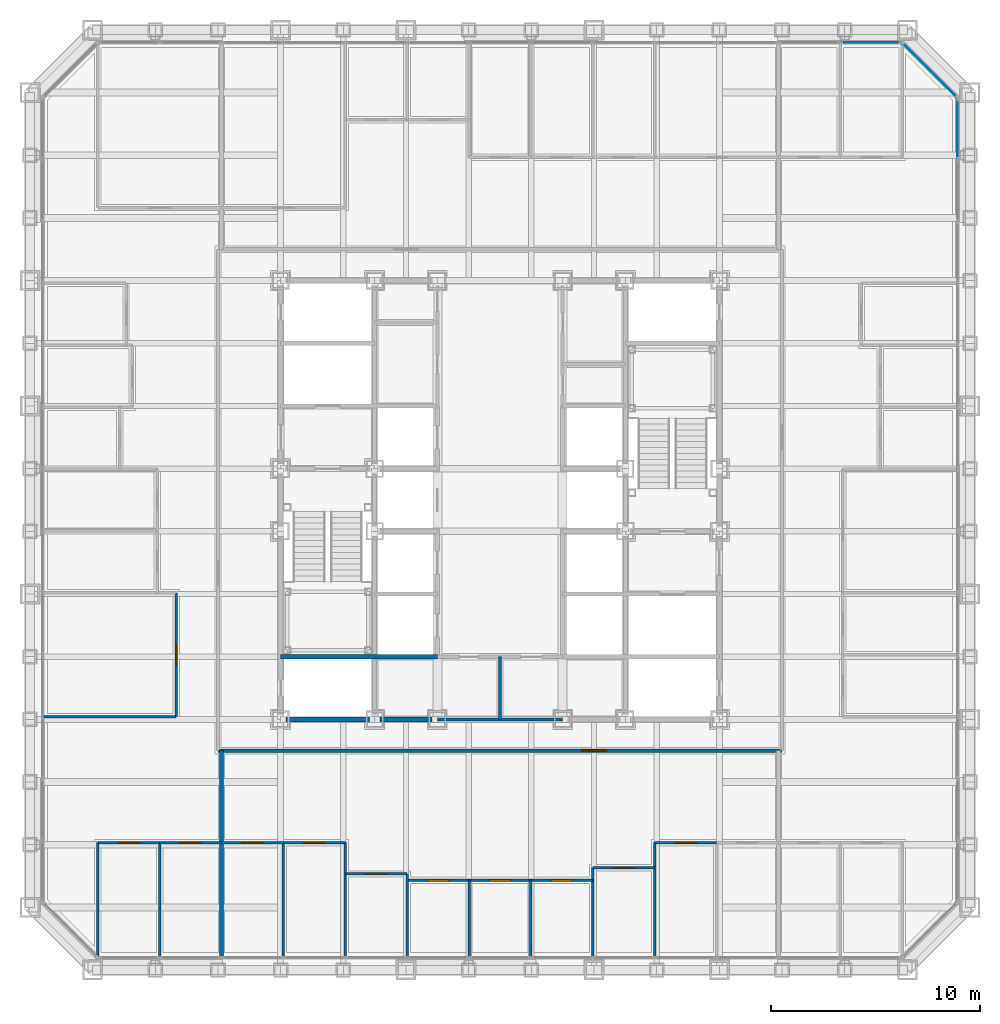
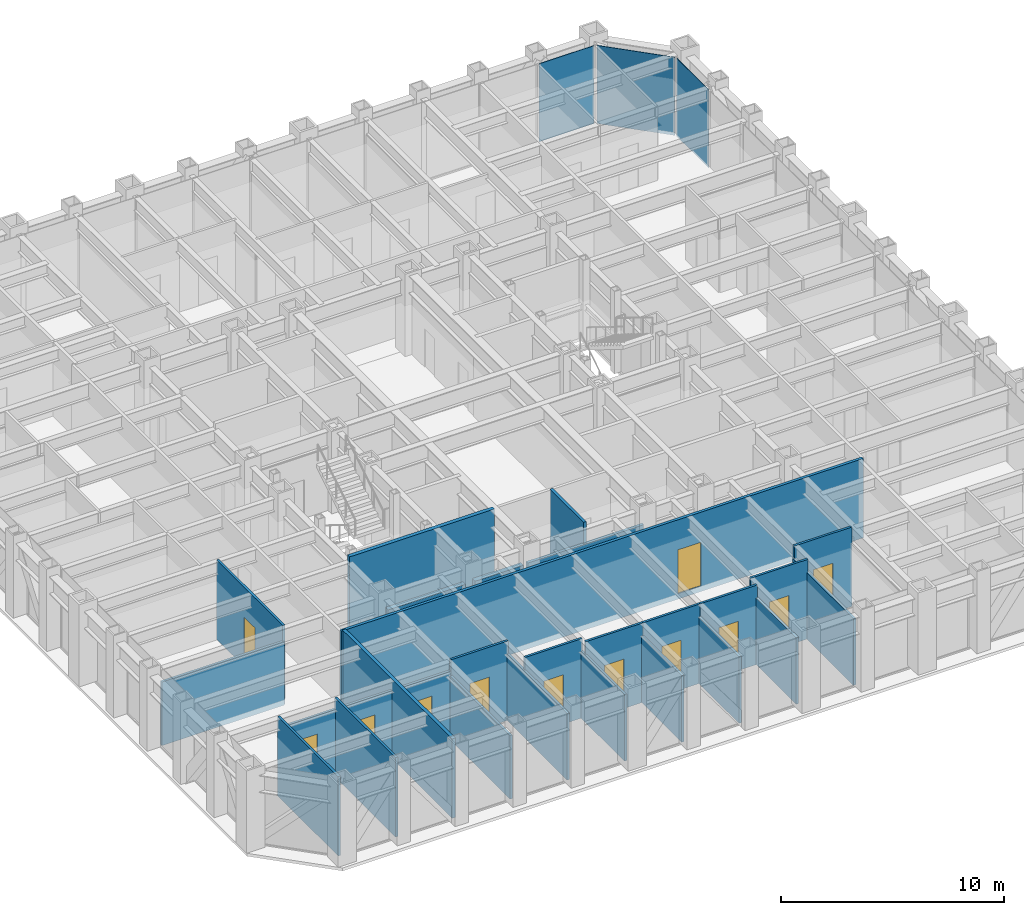
# One storey, part 8 of 16: 28 walls, 12 doors, 3 plates, 12 openings, 3 elements without a shape of their own.
"""IFC4 building model written with IfcOpenShell, lengths in metres."""

import ifcopenshell
import ifcopenshell.guid

model = None  # the IFC model being written
_history = None  # IfcOwnerHistory: only IFC2X3 demands one
_inside = {}  # id of a spatial element -> (the spatial element, [elements in it])
_under = {}  # id of a project, library or spatial element -> (it, [spatial elements below it])
_declared = {}  # id of a project -> (the project, [libraries it declares])
_typed = {}  # id of a type object -> (the type object, [elements of that type])
_made_of = {}  # id of a material, layer set ... -> (it, [elements and type objects made of it])


def new_model(schema):
    """Start an empty IFC model of exactly this schema.

    Asked for "IFC4X3", IfcOpenShell would pick the latest addendum, in which some entities
    have other attributes; the version numbers below select the first issue.
    IFC2X3 requires an IfcOwnerHistory on every rooted entity: one is made here for all.
    """
    global model, _history
    if schema == "IFC4X3":
        model = ifcopenshell.file(schema_version=(4, 3, 0, 0))
    else:
        model = ifcopenshell.file(schema=schema)
    _inside.clear()
    _under.clear()
    _declared.clear()
    _typed.clear()
    _made_of.clear()
    _history = None
    if model.schema == "IFC2X3":
        org = make("IfcOrganization", Name="unknown")
        user = make(
            "IfcPersonAndOrganization",
            ThePerson=make("IfcPerson", FamilyName="unknown"),
            TheOrganization=org,
        )
        app = make(
            "IfcApplication",
            ApplicationDeveloper=org,
            Version="unknown",
            ApplicationFullName="unknown",
            ApplicationIdentifier="unknown",
        )
        _history = make(
            "IfcOwnerHistory",
            OwningUser=user,
            OwningApplication=app,
            ChangeAction="ADDED",
            CreationDate=0,
        )
    return model


def make(cls, **values):
    """One entity of the class cls with the attributes given. An attribute that is None is left unset."""
    return model.create_entity(
        cls, **{name: value for name, value in values.items() if value is not None}
    )


def rooted(cls, **values):
    """An entity with a GlobalId (a new one), such as an element, a storey or a relation."""
    return make(cls, GlobalId=ifcopenshell.guid.new(), OwnerHistory=_history, **values)


def si_unit(unit_type, name, prefix=None):
    """IfcSIUnit, for example si_unit("LENGTHUNIT", "METRE", prefix="MILLI")."""
    return make("IfcSIUnit", UnitType=unit_type, Prefix=prefix, Name=name)


def assignment(units):
    """IfcUnitAssignment: the units of a project."""
    return None if units is None else make("IfcUnitAssignment", Units=units)


def point(xyz):
    """IfcCartesianPoint."""
    return None if xyz is None else make("IfcCartesianPoint", Coordinates=xyz)


def direction(xyz):
    """IfcDirection."""
    return None if xyz is None else make("IfcDirection", DirectionRatios=xyz)


def frame(location, z_axis=None, x_axis=None):
    """IfcAxis2Placement3D, a coordinate frame: its origin and axes. An axis left out is left unset."""
    return make(
        "IfcAxis2Placement3D",
        Location=point(location),
        Axis=direction(z_axis),
        RefDirection=direction(x_axis),
    )


def frame_2d(location, x_axis=None):
    """IfcAxis2Placement2D, a coordinate frame in the plane: its origin and x axis."""
    return make(
        "IfcAxis2Placement2D", Location=point(location), RefDirection=direction(x_axis)
    )


def origin():
    """The frame at (0, 0, 0) with its axes left unset."""
    return frame((0.0, 0.0, 0.0))


def origin_2d():
    """The frame at (0, 0) in the plane with its x axis left unset."""
    return frame_2d((0.0, 0.0))


def place(relative_to, where):
    """IfcLocalPlacement: puts the frame where relative to a parent placement (None: the world)."""
    return make(
        "IfcLocalPlacement", PlacementRelTo=relative_to, RelativePlacement=where
    )


def context(
    kind, dimensions, precision=None, world=None, true_north=None, identifier=None
):
    """IfcGeometricRepresentationContext, for example the 3D "Model" context."""
    return make(
        "IfcGeometricRepresentationContext",
        ContextIdentifier=identifier,
        ContextType=kind,
        CoordinateSpaceDimension=dimensions,
        Precision=precision,
        WorldCoordinateSystem=world,
        TrueNorth=true_north,
    )


def subcontext(parent, identifier, kind, view, scale=None):
    """IfcGeometricRepresentationSubContext, for example "Body" below "Model"."""
    return make(
        "IfcGeometricRepresentationSubContext",
        ContextIdentifier=identifier,
        ContextType=kind,
        ParentContext=parent,
        TargetScale=scale,
        TargetView=view,
    )


def project(units=None, contexts=None):
    """IfcProject with its units and contexts."""
    return rooted(
        "IfcProject",
        Name="project",
        RepresentationContexts=contexts,
        UnitsInContext=assignment(units),
    )


def spatial(cls, under=None, at=None, **own):
    """A site, building, storey or space (cls), placed at a placement, below another one or the project."""
    s = rooted(cls, ObjectPlacement=at, **own)
    if under is not None:
        _under.setdefault(under.id(), (under, []))[1].append(s)
    return s


def profile(cls, at=None, kind="AREA", **sizes):
    """A parametric profile (cls). Its sizes go by their IFC names, for example OverallWidth=200.0."""
    return make(cls, ProfileType=kind, Position=at, **sizes)


def rectangle(**sizes):
    """IfcRectangleProfileDef."""
    return profile("IfcRectangleProfileDef", **sizes)


def extrude(swept, where, along, depth):
    """IfcExtrudedAreaSolid: the profile swept, set in the frame where, extruded along a direction by depth."""
    return make(
        "IfcExtrudedAreaSolid",
        SweptArea=swept,
        Position=where,
        ExtrudedDirection=direction(along),
        Depth=depth,
    )


def shape(context_of_items, identifier, shape_type, items):
    """IfcShapeRepresentation: the items that make up one representation, for example the "Body"."""
    return make(
        "IfcShapeRepresentation",
        ContextOfItems=context_of_items,
        RepresentationIdentifier=identifier,
        RepresentationType=shape_type,
        Items=items,
    )


def material(Name=None, Category=None):
    """IfcMaterial."""
    return make("IfcMaterial", Name=Name, Category=Category)


def layer(
    of_material, thickness, ventilated=None, Name=None, Category=None, Priority=None
):
    """IfcMaterialLayer: one layer of a wall or slab, of a material (None: an air gap)."""
    return make(
        "IfcMaterialLayer",
        Material=of_material,
        LayerThickness=thickness,
        IsVentilated=ventilated,
        Name=Name,
        Category=Category,
        Priority=Priority,
    )


def layer_set(layers, Name=None):
    """IfcMaterialLayerSet."""
    return make("IfcMaterialLayerSet", MaterialLayers=layers, LayerSetName=Name)


def made_of(thing, what):
    """Note that an element or type object is made of a material, layer set ...; save() writes the relation."""
    if what is not None:
        _made_of.setdefault(what.id(), (what, []))[1].append(thing)
    return thing


def type_object(cls, material=None, **own):
    """A type object (cls), such as IfcWallType, which elements share."""
    return made_of(rooted(cls, **own), material)


def element(
    cls,
    number,
    at=None,
    inside=None,
    cuts=None,
    type_object=None,
    material=None,
    context=None,
    identifier="Body",
    shape_type=None,
    held_by="IfcProductDefinitionShape",
    body=None,
    shapes=None,
    **own,
):
    """One element of the class cls, such as IfcWall. Its Tag is "e" and its number.

    at: its placement. inside: the storey or other place that contains it. cuts: it is an
    opening in that element (IfcRelVoidsElement). A single representation is given by context,
    identifier, shape_type and body (its items); several are given by shapes. held_by: the class
    of the entity that holds the representations. save() writes the other relations.
    """
    e = rooted(cls, Tag="e%d" % number, ObjectPlacement=at, **own)
    if body is not None:
        shapes = [shape(context, identifier, shape_type, body)]
    if shapes is not None:
        e.Representation = make(held_by, Representations=shapes)
    if inside is not None:
        _inside.setdefault(inside.id(), (inside, []))[1].append(e)
    if cuts is not None:
        rooted(
            "IfcRelVoidsElement", RelatingBuildingElement=cuts, RelatedOpeningElement=e
        )
    if type_object is not None:
        _typed.setdefault(type_object.id(), (type_object, []))[1].append(e)
    return made_of(e, material)


def fill(opening, filler):
    """IfcRelFillsElement: the door or window that sits in an opening."""
    return rooted(
        "IfcRelFillsElement",
        RelatingOpeningElement=opening,
        RelatedBuildingElement=filler,
    )


def aggregate(whole, parts):
    """IfcRelAggregates: a whole, such as a stair, and the parts it consists of."""
    return rooted("IfcRelAggregates", RelatingObject=whole, RelatedObjects=parts)


def save(model, path):
    """Write the relations noted so far, then the file.

    IfcRelAggregates (storeys below a building ...), IfcRelContainedInSpatialStructure (elements
    in a storey), IfcRelDefinesByType, IfcRelAssociatesMaterial and IfcRelDeclares: one each for
    every whole, place, type object, material and project.
    """
    for whole, parts in _under.values():
        aggregate(whole, parts)
    for where, things in _inside.values():
        rooted(
            "IfcRelContainedInSpatialStructure",
            RelatedElements=things,
            RelatingStructure=where,
        )
    for kind, things in _typed.values():
        rooted("IfcRelDefinesByType", RelatedObjects=things, RelatingType=kind)
    for what, things in _made_of.values():
        rooted("IfcRelAssociatesMaterial", RelatedObjects=things, RelatingMaterial=what)
    for by, libraries in _declared.values():
        rooted("IfcRelDeclares", RelatingContext=by, RelatedDefinitions=libraries)
    model.write(path)


model = new_model("IFC4")

# Units and contexts
model_context = context("Model", 3, precision=1e-05, world=origin(), true_north=direction((0.0, 1.0)))
body_context = subcontext(model_context, "Body", "Model", "MODEL_VIEW")
ifc_project = project(units=[si_unit("LENGTHUNIT", "METRE"), si_unit("AREAUNIT", "SQUARE_METRE"), si_unit("VOLUMEUNIT", "CUBIC_METRE"), si_unit("PLANEANGLEUNIT", "RADIAN"), si_unit("MASSUNIT", "GRAM", prefix="KILO")], contexts=[model_context])

# Site, building, storey
site_placement = place(None, origin())
site = spatial("IfcSite", under=ifc_project, at=site_placement, CompositionType="ELEMENT")
building_placement = place(site_placement, origin())
building = spatial("IfcBuilding", under=site, at=building_placement, Name="Chuquiago Exchange Tower", CompositionType="ELEMENT")
storey_placement = place(building_placement, frame((0.0, 0.0, 73.800048828125)))
storey = spatial("IfcBuildingStorey", under=building, at=storey_placement, Name="L15", CompositionType="ELEMENT", Elevation=73.800048828125)

# Curtain wall, plate
ifc_material_1 = material(Name="Aluminium curtain wall system", Category="aluminium")
ifc_layer_1 = layer(ifc_material_1, 0.25)
ifc_layer_set_1 = layer_set([ifc_layer_1], Name="CW1 trading floor curtain wall")
curtain_wall_type_1 = type_object("IfcCurtainWallType", Name="CW1 trading floor curtain wall", PredefinedType="NOTDEFINED", material=ifc_layer_set_1)
curtain_wall_1_placement = place(storey_placement, origin())
curtain_wall_1 = element("IfcCurtainWall", 1, at=curtain_wall_1_placement, inside=storey, type_object=curtain_wall_type_1, Name="CW1 curtain wall L15", PredefinedType="NOTDEFINED")
ifc_material_2 = material(Name="Insulated spandrel panel, pale anodised aluminium", Category="aluminium")
ifc_layer_2 = layer(ifc_material_2, 0.031982421875)
ifc_layer_set_2 = layer_set([ifc_layer_2], Name="CW1-P spandrel panel 32")
plate_type_1 = type_object("IfcPlateType", Name="CW1-P spandrel panel 32", PredefinedType="CURTAIN_PANEL", material=ifc_layer_set_2)
plate_1_placement = place(storey_placement, frame((44.39990234375, 40.251953125, -0.22509765625), z_axis=(0.0, 0.0, 1.0), x_axis=(0.0, 1.0, 0.0)))
plate_1 = element("IfcPlate", 2, at=plate_1_placement, type_object=plate_type_1, Name="CW1 panel 13.1", PredefinedType="CURTAIN_PANEL", context=body_context, shape_type="SweptSolid", body=[
    extrude(rectangle(XDim=2.849365234375, YDim=0.031982421875, at=origin_2d()), origin(), (0.0, 0.0, 1.0), 4.264892578125),
])
aggregate(curtain_wall_1, [plate_1])

curtain_wall_2_placement = place(storey_placement, origin())
curtain_wall_2 = element("IfcCurtainWall", 3, at=curtain_wall_2_placement, inside=storey, type_object=curtain_wall_type_1, Name="CW1 curtain wall L15", PredefinedType="NOTDEFINED")
plate_2_placement = place(storey_placement, frame((40.251953125, 44.39990234375, -0.22509765625), z_axis=(0.0, 0.0, 1.0), x_axis=(-1.0, 0.0, 0.0)))
plate_2 = element("IfcPlate", 4, at=plate_2_placement, type_object=plate_type_1, Name="CW1 panel 1.1", PredefinedType="CURTAIN_PANEL", context=body_context, shape_type="SweptSolid", body=[
    extrude(rectangle(XDim=2.849365234375, YDim=0.031982421875, at=origin_2d()), origin(), (0.0, 0.0, 1.0), 4.264892578125),
])
aggregate(curtain_wall_2, [plate_2])

ifc_material_3 = material(Name="Aluminium curtain wall system", Category="aluminium")
ifc_layer_3 = layer(ifc_material_3, 0.199951171875)
ifc_layer_set_3 = layer_set([ifc_layer_3], Name="CW3 facet curtain wall")
curtain_wall_type_2 = type_object("IfcCurtainWallType", Name="CW3 facet curtain wall", PredefinedType="NOTDEFINED", material=ifc_layer_set_3)
curtain_wall_3_placement = place(storey_placement, origin())
curtain_wall_3 = element("IfcCurtainWall", 5, at=curtain_wall_3_placement, inside=storey, type_object=curtain_wall_type_2, Name="CW3 curtain wall L15", PredefinedType="NOTDEFINED")
ifc_material_4 = material(Name="Insulated spandrel panel, pale anodised aluminium", Category="aluminium")
ifc_layer_4 = layer(ifc_material_4, 0.030029296875)
ifc_layer_set_4 = layer_set([ifc_layer_4], Name="CW3-P spandrel panel 30")
plate_type_2 = type_object("IfcPlateType", Name="CW3-P spandrel panel 30", PredefinedType="CURTAIN_PANEL", material=ifc_layer_set_4)
plate_3_placement = place(storey_placement, frame((43.07568359375, 43.07568359375, -0.235107421875), z_axis=(0.0, 0.0, 1.0), x_axis=(-0.707106781187, 0.707106781187, 0.0)))
plate_3 = element("IfcPlate", 6, at=plate_3_placement, type_object=plate_type_2, Name="CW3 panel 1.1", PredefinedType="CURTAIN_PANEL", context=body_context, shape_type="SweptSolid", body=[
    extrude(rectangle(XDim=3.615478515625, YDim=0.030029296875, at=origin_2d()), origin(), (0.0, 0.0, 1.0), 4.27490234375),
])
aggregate(curtain_wall_3, [plate_3])

# Walls
ifc_material_5 = material(Name="Concrete masonry, fully grouted", Category="masonry")
ifc_layer_5 = layer(ifc_material_5, 0.25)
ifc_layer_set_5 = layer_set([ifc_layer_5], Name="W1 core wall 250")
wall_type_1 = type_object("IfcWallType", Name="W1 core wall 250", PredefinedType="SOLIDWALL", material=ifc_layer_set_5)
wall_1_placement = place(storey_placement, frame((12.25, 12.0, 0.0), z_axis=(0.0, 0.0, 1.0), x_axis=(1.0, 0.0, 0.0)))
element("IfcWall", 7, at=wall_1_placement, inside=storey, type_object=wall_type_1, Name="CW-L15-01-0", PredefinedType="SOLIDWALL", context=body_context, shape_type="SweptSolid", body=[
    extrude(rectangle(XDim=4.0, YDim=0.25, at=frame_2d((2.0, 0.0))), origin(), (0.0, 0.0, 1.0), 3.181396484375),
])
wall_2_placement = place(storey_placement, frame((16.75, 12.0, 0.0), z_axis=(0.0, 0.0, 1.0), x_axis=(1.0, 0.0, 0.0)))
element("IfcWall", 8, at=wall_2_placement, inside=storey, type_object=wall_type_1, Name="CW-L15-01-1", PredefinedType="SOLIDWALL", context=body_context, shape_type="SweptSolid", body=[
    extrude(rectangle(XDim=2.5, YDim=0.25, at=frame_2d((1.25, 0.0))), origin(), (0.0, 0.0, 1.0), 3.181396484375),
])

# Wall, opening, door
ifc_material_6 = material(Name="Gypsum board on steel studs, acoustic insulation", Category="steel")
ifc_layer_6 = layer(ifc_material_6, 0.14990234375)
ifc_layer_set_6 = layer_set([ifc_layer_6], Name="W11 corridor wall 150")
wall_type_2 = type_object("IfcWallType", Name="W11 corridor wall 150", PredefinedType="PARTITIONING", material=ifc_layer_set_6)
wall_3_placement = place(storey_placement, frame((9.0, 10.5, -0.300048828125), z_axis=(0.0, 0.0, 1.0), x_axis=(1.0, 0.0, 0.0)))
wall_3 = element("IfcWall", 9, at=wall_3_placement, inside=storey, type_object=wall_type_2, Name="PW-L15-CS", PredefinedType="PARTITIONING", context=body_context, shape_type="SweptSolid", body=[
    extrude(rectangle(XDim=27.0, YDim=0.14990234375, at=frame_2d((13.5, 0.0))), origin(), (0.0, 0.0, 1.0), 4.340087890625),
])
opening_1_placement = place(wall_3_placement, frame((17.39990234375, 0.0, 0.300048828125)))
opening_1 = element("IfcOpeningElement", 10, at=opening_1_placement, cuts=wall_3, Name="Opening L15-056", PredefinedType="OPENING", context=body_context, shape_type="SweptSolid", body=[
    extrude(rectangle(XDim=1.199951171875, YDim=2.39990234375, at=frame_2d((0.60009765625, 1.199951171875))), frame((0.0, 0.0849609375, 0.0), z_axis=(0.0, -1.0, 0.0), x_axis=(1.0, 0.0, 0.0)), (0.0, 0.0, 1.0), 0.169921875),
])
ifc_material_7 = material(Name="Timber door, laminate faced", Category="wood")
door_type_1 = type_object("IfcDoorType", Name="D13 suite entrance door 1200x2400", OperationType="SINGLE_SWING_LEFT", PredefinedType="DOOR", material=ifc_material_7)
door_1_placement = place(opening_1_placement, frame((1.199951171875, 0.0, 0.0), z_axis=(0.0, 0.0, 1.0), x_axis=(-1.0, 0.0, 0.0)))
door_1 = element("IfcDoor", 11, at=door_1_placement, inside=storey, type_object=door_type_1, Name="South suite entrance door", OperationType="SINGLE_SWING_LEFT", OverallHeight=2.39990234375, OverallWidth=1.199951171875, PredefinedType="DOOR", context=body_context, shape_type="SweptSolid", body=[
    extrude(rectangle(XDim=1.199951171875, YDim=2.39990234375, at=frame_2d((0.60009765625, 1.199951171875))), frame((0.0, 0.02490234375, 0.0), z_axis=(0.0, -1.0, 0.0), x_axis=(1.0, 0.0, 0.0)), (0.0, 0.0, 1.0), 0.050048828125),
])
fill(opening_1, door_1)

# Walls
ifc_material_8 = material(Name="Gypsum board on twin steel studs, acoustic insulation", Category="steel")
ifc_layer_7 = layer(ifc_material_8, 0.175048828125)
ifc_layer_set_7 = layer_set([ifc_layer_7], Name="W12 tenant demising wall 175")
wall_type_3 = type_object("IfcWallType", Name="W12 tenant demising wall 175", PredefinedType="PARTITIONING", material=ifc_layer_set_7)
wall_4_placement = place(storey_placement, frame((9.172119140625, 0.657470703125, -0.300048828125), z_axis=(0.0, 0.0, 1.0), x_axis=(0.0, 1.0, 0.0)))
element("IfcWall", 12, at=wall_4_placement, inside=storey, type_object=wall_type_3, Name="PW-L15-DS00917", PredefinedType="PARTITIONING", context=body_context, shape_type="SweptSolid", body=[
    extrude(rectangle(XDim=9.842529296875, YDim=0.175048828125, at=frame_2d((4.92138671875, 0.0))), origin(), (0.0, 0.0, 1.0), 4.340087890625),
])
ifc_material_9 = material(Name="Concrete masonry, fully grouted", Category="masonry")
ifc_layer_8 = layer(ifc_material_9, 0.199951171875)
ifc_layer_set_8 = layer_set([ifc_layer_8], Name="W2 shaft wall 200")
wall_type_4 = type_object("IfcWallType", Name="W2 shaft wall 200", PredefinedType="SOLIDWALL", material=ifc_layer_set_8)
wall_5_placement = place(storey_placement, frame((12.0, 15.0, 0.0), z_axis=(0.0, 0.0, 1.0), x_axis=(1.0, 0.0, 0.0)))
element("IfcWall", 13, at=wall_5_placement, inside=storey, type_object=wall_type_4, Name="CW-L15-03-0", PredefinedType="SOLIDWALL", context=body_context, shape_type="SweptSolid", body=[
    extrude(rectangle(XDim=7.5, YDim=0.199951171875, at=frame_2d((3.75, 0.0))), origin(), (0.0, 0.0, 1.0), 4.33984375),
])
ifc_material_10 = material(Name="Gypsum board on steel studs", Category="steel")
ifc_layer_9 = layer(ifc_material_10, 0.14990234375)
ifc_layer_set_9 = layer_set([ifc_layer_9], Name="W3 core partition 150")
wall_type_5 = type_object("IfcWallType", Name="W3 core partition 150", PredefinedType="PARTITIONING", material=ifc_layer_set_9)
wall_6_placement = place(storey_placement, frame((22.5, 15.0, 0.0), z_axis=(0.0, 0.0, 1.0), x_axis=(0.0, -1.0, 0.0)))
element("IfcWall", 14, at=wall_6_placement, inside=storey, type_object=wall_type_5, Name="CW-L15-TM", PredefinedType="PARTITIONING", context=body_context, shape_type="SweptSolid", body=[
    extrude(rectangle(XDim=3.0, YDim=0.14990234375, at=frame_2d((1.5, 0.0))), origin(), (0.0, 0.0, 1.0), 4.33984375),
])
wall_7_placement = place(storey_placement, frame((19.5, 12.0, 0.0), z_axis=(0.0, 0.0, 1.0), x_axis=(1.0, 0.0, 0.0)))
element("IfcWall", 15, at=wall_7_placement, inside=storey, type_object=wall_type_5, Name="CW-L15-TB", PredefinedType="PARTITIONING", context=body_context, shape_type="SweptSolid", body=[
    extrude(rectangle(XDim=6.0, YDim=0.14990234375, at=frame_2d((3.0, 0.0))), origin(), (0.0, 0.0, 1.0), 3.181396484375),
])
ifc_material_11 = material(Name="Gypsum board on steel studs", Category="steel")
ifc_layer_10 = layer(ifc_material_11, 0.1201171875)
ifc_layer_set_10 = layer_set([ifc_layer_10], Name="W4 partition 120")
wall_type_6 = type_object("IfcWallType", Name="W4 partition 120", PredefinedType="PARTITIONING", material=ifc_layer_set_10)
wall_8_placement = place(storey_placement, frame((3.24853515625, 0.666015625, -0.300048828125), z_axis=(0.0, 0.0, 1.0), x_axis=(0.0, 1.0, 0.0)))
element("IfcWall", 16, at=wall_8_placement, inside=storey, type_object=wall_type_6, Name="PW-L15-S00325", PredefinedType="PARTITIONING", context=body_context, shape_type="SweptSolid", body=[
    extrude(rectangle(XDim=5.43408203125, YDim=0.1201171875, at=frame_2d((2.717041015625, 0.0))), origin(), (0.0, 0.0, 1.0), 4.340087890625),
])
wall_9_placement = place(storey_placement, frame((6.210205078125, 0.657470703125, -0.300048828125), z_axis=(0.0, 0.0, 1.0), x_axis=(0.0, 1.0, 0.0)))
element("IfcWall", 17, at=wall_9_placement, inside=storey, type_object=wall_type_6, Name="PW-L15-S00621", PredefinedType="PARTITIONING", context=body_context, shape_type="SweptSolid", body=[
    extrude(rectangle(XDim=5.442626953125, YDim=0.1201171875, at=frame_2d((2.72119140625, 0.0))), origin(), (0.0, 0.0, 1.0), 4.340087890625),
])
wall_10_placement = place(storey_placement, frame((12.1337890625, 0.657470703125, -0.300048828125), z_axis=(0.0, 0.0, 1.0), x_axis=(0.0, 1.0, 0.0)))
element("IfcWall", 18, at=wall_10_placement, inside=storey, type_object=wall_type_6, Name="PW-L15-S01213", PredefinedType="PARTITIONING", context=body_context, shape_type="SweptSolid", body=[
    extrude(rectangle(XDim=5.442626953125, YDim=0.1201171875, at=frame_2d((2.72119140625, 0.0))), origin(), (0.0, 0.0, 1.0), 3.4814453125),
])
wall_11_placement = place(storey_placement, frame((15.095703125, 0.657470703125, -0.300048828125), z_axis=(0.0, 0.0, 1.0), x_axis=(0.0, 1.0, 0.0)))
element("IfcWall", 19, at=wall_11_placement, inside=storey, type_object=wall_type_6, Name="PW-L15-S01510", PredefinedType="PARTITIONING", context=body_context, shape_type="SweptSolid", body=[
    extrude(rectangle(XDim=5.442626953125, YDim=0.1201171875, at=frame_2d((2.72119140625, 0.0))), origin(), (0.0, 0.0, 1.0), 3.646484375),
])
wall_12_placement = place(storey_placement, frame((18.057373046875, 0.657470703125, -0.300048828125), z_axis=(0.0, 0.0, 1.0), x_axis=(0.0, 1.0, 0.0)))
element("IfcWall", 20, at=wall_12_placement, inside=storey, type_object=wall_type_6, Name="PW-L15-S01806", PredefinedType="PARTITIONING", context=body_context, shape_type="SweptSolid", body=[
    extrude(rectangle(XDim=3.942626953125, YDim=0.1201171875, at=frame_2d((1.97119140625, 0.0))), origin(), (0.0, 0.0, 1.0), 3.646484375),
])
for number, where, z_axis, x_axis, name in (
    (21, (21.01904296875, 0.657470703125, -0.300048828125), (0.0, 0.0, 1.0), (0.0, 1.0, 0.0), "PW-L15-S02102"),
    (22, (23.98095703125, 0.657470703125, -0.300048828125), (0.0, 0.0, 1.0), (0.0, 1.0, 0.0), "PW-L15-S02398"),
):
    element("IfcWall", number, at=place(storey_placement, frame(where, z_axis=z_axis, x_axis=x_axis)), inside=storey, type_object=wall_type_6, Name=name, PredefinedType="PARTITIONING", context=body_context, shape_type="SweptSolid", body=[
        extrude(rectangle(XDim=3.642578125, YDim=0.1201171875, at=frame_2d((1.8212890625, 0.0))), origin(), (0.0, 0.0, 1.0), 3.646484375),
    ])
wall_13_placement = place(storey_placement, frame((26.942626953125, 0.657470703125, -0.300048828125), z_axis=(0.0, 0.0, 1.0), x_axis=(0.0, 1.0, 0.0)))
element("IfcWall", 23, at=wall_13_placement, inside=storey, type_object=wall_type_6, Name="PW-L15-S02694", PredefinedType="PARTITIONING", context=body_context, shape_type="SweptSolid", body=[
    extrude(rectangle(XDim=4.242431640625, YDim=0.1201171875, at=frame_2d((2.12109375, 0.0))), origin(), (0.0, 0.0, 1.0), 3.646484375),
])
wall_14_placement = place(storey_placement, frame((29.904296875, 0.657470703125, -0.300048828125), z_axis=(0.0, 0.0, 1.0), x_axis=(0.0, 1.0, 0.0)))
element("IfcWall", 24, at=wall_14_placement, inside=storey, type_object=wall_type_6, Name="PW-L15-S02990", PredefinedType="PARTITIONING", context=body_context, shape_type="SweptSolid", body=[
    extrude(rectangle(XDim=5.442626953125, YDim=0.1201171875, at=frame_2d((2.72119140625, 0.0))), origin(), (0.0, 0.0, 1.0), 3.646484375),
])

# Wall, opening, door
wall_15_placement = place(storey_placement, frame((3.24853515625, 6.10009765625, -0.300048828125), z_axis=(0.0, 0.0, 1.0), x_axis=(1.0, 0.0, 0.0)))
wall_15 = element("IfcWall", 25, at=wall_15_placement, inside=storey, type_object=wall_type_6, Name="PW-L15-SF00325", PredefinedType="PARTITIONING", context=body_context, shape_type="SweptSolid", body=[
    extrude(rectangle(XDim=2.961669921875, YDim=0.1201171875, at=frame_2d((1.48095703125, 0.0))), origin(), (0.0, 0.0, 1.0), 3.722900390625),
])
opening_2_placement = place(wall_15_placement, frame((0.98095703125, 0.0, 0.300048828125)))
opening_2 = element("IfcOpeningElement", 26, at=opening_2_placement, cuts=wall_15, Name="Opening L15-021", PredefinedType="OPENING", context=body_context, shape_type="SweptSolid", body=[
    extrude(rectangle(XDim=1.0, YDim=2.39990234375, at=frame_2d((0.5, 1.199951171875))), frame((0.0, 0.070068359375, 0.0), z_axis=(0.0, -1.0, 0.0), x_axis=(1.0, 0.0, 0.0)), (0.0, 0.0, 1.0), 0.14013671875),
])
ifc_material_12 = material(Name="Timber door, laminate faced", Category="wood")
door_type_2 = type_object("IfcDoorType", Name="D9 room door 1000x2400", OperationType="SINGLE_SWING_LEFT", PredefinedType="DOOR", material=ifc_material_12)
door_2_placement = place(opening_2_placement, frame((1.0, 0.0, 0.0), z_axis=(0.0, 0.0, 1.0), x_axis=(-1.0, 0.0, 0.0)))
door_2 = element("IfcDoor", 27, at=door_2_placement, inside=storey, type_object=door_type_2, Name="Office door", OperationType="SINGLE_SWING_RIGHT", OverallHeight=2.39990234375, OverallWidth=1.0, PredefinedType="DOOR", context=body_context, shape_type="SweptSolid", body=[
    extrude(rectangle(XDim=1.0, YDim=2.39990234375, at=frame_2d((0.5, 1.199951171875))), frame((0.0, 0.02490234375, 0.0), z_axis=(0.0, -1.0, 0.0), x_axis=(1.0, 0.0, 0.0)), (0.0, 0.0, 1.0), 0.050048828125),
])
fill(opening_2, door_2)

wall_16_placement = place(storey_placement, frame((6.210205078125, 6.10009765625, -0.300048828125), z_axis=(0.0, 0.0, 1.0), x_axis=(1.0, 0.0, 0.0)))
wall_16 = element("IfcWall", 28, at=wall_16_placement, inside=storey, type_object=wall_type_6, Name="PW-L15-SF00621", PredefinedType="PARTITIONING", context=body_context, shape_type="SweptSolid", body=[
    extrude(rectangle(XDim=2.9619140625, YDim=0.1201171875, at=frame_2d((1.48095703125, 0.0))), origin(), (0.0, 0.0, 1.0), 3.722900390625),
])
opening_3_placement = place(wall_16_placement, frame((0.98095703125, 0.0, 0.300048828125)))
opening_3 = element("IfcOpeningElement", 29, at=opening_3_placement, cuts=wall_16, Name="Opening L15-022", PredefinedType="OPENING", context=body_context, shape_type="SweptSolid", body=[
    extrude(rectangle(XDim=1.0, YDim=2.39990234375, at=frame_2d((0.5, 1.199951171875))), frame((0.0, 0.070068359375, 0.0), z_axis=(0.0, -1.0, 0.0), x_axis=(1.0, 0.0, 0.0)), (0.0, 0.0, 1.0), 0.14013671875),
])
door_3_placement = place(opening_3_placement, frame((1.0, 0.0, 0.0), z_axis=(0.0, 0.0, 1.0), x_axis=(-1.0, 0.0, 0.0)))
door_3 = element("IfcDoor", 30, at=door_3_placement, inside=storey, type_object=door_type_2, Name="Office door", OperationType="SINGLE_SWING_LEFT", OverallHeight=2.39990234375, OverallWidth=1.0, PredefinedType="DOOR", context=body_context, shape_type="SweptSolid", body=[
    extrude(rectangle(XDim=1.0, YDim=2.39990234375, at=frame_2d((0.5, 1.199951171875))), frame((0.0, 0.02490234375, 0.0), z_axis=(0.0, -1.0, 0.0), x_axis=(1.0, 0.0, 0.0)), (0.0, 0.0, 1.0), 0.050048828125),
])
fill(opening_3, door_3)

wall_17_placement = place(storey_placement, frame((9.172119140625, 6.10009765625, -0.300048828125), z_axis=(0.0, 0.0, 1.0), x_axis=(1.0, 0.0, 0.0)))
wall_17 = element("IfcWall", 31, at=wall_17_placement, inside=storey, type_object=wall_type_6, Name="PW-L15-SF00917", PredefinedType="PARTITIONING", context=body_context, shape_type="SweptSolid", body=[
    extrude(rectangle(XDim=2.961669921875, YDim=0.1201171875, at=frame_2d((1.48095703125, 0.0))), origin(), (0.0, 0.0, 1.0), 3.722900390625),
])
opening_4_placement = place(wall_17_placement, frame((0.98095703125, 0.0, 0.300048828125)))
opening_4 = element("IfcOpeningElement", 32, at=opening_4_placement, cuts=wall_17, Name="Opening L15-023", PredefinedType="OPENING", context=body_context, shape_type="SweptSolid", body=[
    extrude(rectangle(XDim=1.0, YDim=2.39990234375, at=frame_2d((0.5, 1.199951171875))), frame((0.0, 0.070068359375, 0.0), z_axis=(0.0, -1.0, 0.0), x_axis=(1.0, 0.0, 0.0)), (0.0, 0.0, 1.0), 0.14013671875),
])
door_4_placement = place(opening_4_placement, frame((1.0, 0.0, 0.0), z_axis=(0.0, 0.0, 1.0), x_axis=(-1.0, 0.0, 0.0)))
door_4 = element("IfcDoor", 33, at=door_4_placement, inside=storey, type_object=door_type_2, Name="Office door", OperationType="SINGLE_SWING_RIGHT", OverallHeight=2.39990234375, OverallWidth=1.0, PredefinedType="DOOR", context=body_context, shape_type="SweptSolid", body=[
    extrude(rectangle(XDim=1.0, YDim=2.39990234375, at=frame_2d((0.5, 1.199951171875))), frame((0.0, 0.02490234375, 0.0), z_axis=(0.0, -1.0, 0.0), x_axis=(1.0, 0.0, 0.0)), (0.0, 0.0, 1.0), 0.050048828125),
])
fill(opening_4, door_4)

wall_18_placement = place(storey_placement, frame((12.1337890625, 6.10009765625, -0.300048828125), z_axis=(0.0, 0.0, 1.0), x_axis=(1.0, 0.0, 0.0)))
wall_18 = element("IfcWall", 34, at=wall_18_placement, inside=storey, type_object=wall_type_6, Name="PW-L15-SF01213", PredefinedType="PARTITIONING", context=body_context, shape_type="SweptSolid", body=[
    extrude(rectangle(XDim=2.9619140625, YDim=0.1201171875, at=frame_2d((1.48095703125, 0.0))), origin(), (0.0, 0.0, 1.0), 4.340087890625),
])
opening_5_placement = place(wall_18_placement, frame((0.98095703125, 0.0, 0.300048828125)))
opening_5 = element("IfcOpeningElement", 35, at=opening_5_placement, cuts=wall_18, Name="Opening L15-024", PredefinedType="OPENING", context=body_context, shape_type="SweptSolid", body=[
    extrude(rectangle(XDim=1.0, YDim=2.39990234375, at=frame_2d((0.5, 1.199951171875))), frame((0.0, 0.070068359375, 0.0), z_axis=(0.0, -1.0, 0.0), x_axis=(1.0, 0.0, 0.0)), (0.0, 0.0, 1.0), 0.14013671875),
])
door_5_placement = place(opening_5_placement, frame((1.0, 0.0, 0.0), z_axis=(0.0, 0.0, 1.0), x_axis=(-1.0, 0.0, 0.0)))
door_5 = element("IfcDoor", 36, at=door_5_placement, inside=storey, type_object=door_type_2, Name="Office door", OperationType="SINGLE_SWING_LEFT", OverallHeight=2.39990234375, OverallWidth=1.0, PredefinedType="DOOR", context=body_context, shape_type="SweptSolid", body=[
    extrude(rectangle(XDim=1.0, YDim=2.39990234375, at=frame_2d((0.5, 1.199951171875))), frame((0.0, 0.02490234375, 0.0), z_axis=(0.0, -1.0, 0.0), x_axis=(1.0, 0.0, 0.0)), (0.0, 0.0, 1.0), 0.050048828125),
])
fill(opening_5, door_5)

wall_19_placement = place(storey_placement, frame((15.095703125, 4.60009765625, -0.300048828125), z_axis=(0.0, 0.0, 1.0), x_axis=(1.0, 0.0, 0.0)))
wall_19 = element("IfcWall", 37, at=wall_19_placement, inside=storey, type_object=wall_type_6, Name="PW-L15-SF01510", PredefinedType="PARTITIONING", context=body_context, shape_type="SweptSolid", body=[
    extrude(rectangle(XDim=2.961669921875, YDim=0.1201171875, at=frame_2d((1.48095703125, 0.0))), origin(), (0.0, 0.0, 1.0), 4.340087890625),
])
opening_6_placement = place(wall_19_placement, frame((0.98095703125, 0.0, 0.300048828125)))
opening_6 = element("IfcOpeningElement", 38, at=opening_6_placement, cuts=wall_19, Name="Opening L15-025", PredefinedType="OPENING", context=body_context, shape_type="SweptSolid", body=[
    extrude(rectangle(XDim=1.0, YDim=2.39990234375, at=frame_2d((0.5, 1.199951171875))), frame((0.0, 0.070068359375, 0.0), z_axis=(0.0, -1.0, 0.0), x_axis=(1.0, 0.0, 0.0)), (0.0, 0.0, 1.0), 0.14013671875),
])
door_6_placement = place(opening_6_placement, frame((1.0, 0.0, 0.0), z_axis=(0.0, 0.0, 1.0), x_axis=(-1.0, 0.0, 0.0)))
door_6 = element("IfcDoor", 39, at=door_6_placement, inside=storey, type_object=door_type_2, Name="Store door", OperationType="SINGLE_SWING_RIGHT", OverallHeight=2.39990234375, OverallWidth=1.0, PredefinedType="DOOR", context=body_context, shape_type="SweptSolid", body=[
    extrude(rectangle(XDim=1.0, YDim=2.39990234375, at=frame_2d((0.5, 1.199951171875))), frame((0.0, 0.02490234375, 0.0), z_axis=(0.0, -1.0, 0.0), x_axis=(1.0, 0.0, 0.0)), (0.0, 0.0, 1.0), 0.050048828125),
])
fill(opening_6, door_6)

wall_20_placement = place(storey_placement, frame((18.057373046875, 4.300048828125, -0.300048828125), z_axis=(0.0, 0.0, 1.0), x_axis=(1.0, 0.0, 0.0)))
wall_20 = element("IfcWall", 40, at=wall_20_placement, inside=storey, type_object=wall_type_6, Name="PW-L15-SF01806", PredefinedType="PARTITIONING", context=body_context, shape_type="SweptSolid", body=[
    extrude(rectangle(XDim=2.961669921875, YDim=0.1201171875, at=frame_2d((1.48095703125, 0.0))), origin(), (0.0, 0.0, 1.0), 4.340087890625),
])
opening_7_placement = place(wall_20_placement, frame((0.98095703125, 0.0, 0.300048828125)))
opening_7 = element("IfcOpeningElement", 41, at=opening_7_placement, cuts=wall_20, Name="Opening L15-026", PredefinedType="OPENING", context=body_context, shape_type="SweptSolid", body=[
    extrude(rectangle(XDim=1.0, YDim=2.39990234375, at=frame_2d((0.5, 1.199951171875))), frame((0.0, 0.070068359375, 0.0), z_axis=(0.0, -1.0, 0.0), x_axis=(1.0, 0.0, 0.0)), (0.0, 0.0, 1.0), 0.14013671875),
])
ifc_material_13 = material(Name="Timber frame door, full height glazed panel", Category="wood")
door_type_3 = type_object("IfcDoorType", Name="D14 glazed meeting room door 1000x2400", OperationType="SINGLE_SWING_LEFT", PredefinedType="DOOR", material=ifc_material_13)
door_7_placement = place(opening_7_placement, frame((1.0, 0.0, 0.0), z_axis=(0.0, 0.0, 1.0), x_axis=(-1.0, 0.0, 0.0)))
door_7 = element("IfcDoor", 42, at=door_7_placement, inside=storey, type_object=door_type_3, Name="Focus room door", OperationType="SINGLE_SWING_LEFT", OverallHeight=2.39990234375, OverallWidth=1.0, PredefinedType="DOOR", context=body_context, shape_type="SweptSolid", body=[
    extrude(rectangle(XDim=1.0, YDim=2.39990234375, at=frame_2d((0.5, 1.199951171875))), frame((0.0, 0.02490234375, 0.0), z_axis=(0.0, -1.0, 0.0), x_axis=(1.0, 0.0, 0.0)), (0.0, 0.0, 1.0), 0.050048828125),
])
fill(opening_7, door_7)

wall_21_placement = place(storey_placement, frame((21.01904296875, 4.300048828125, -0.300048828125), z_axis=(0.0, 0.0, 1.0), x_axis=(1.0, 0.0, 0.0)))
wall_21 = element("IfcWall", 43, at=wall_21_placement, inside=storey, type_object=wall_type_6, Name="PW-L15-SF02102", PredefinedType="PARTITIONING", context=body_context, shape_type="SweptSolid", body=[
    extrude(rectangle(XDim=2.9619140625, YDim=0.1201171875, at=frame_2d((1.48095703125, 0.0))), origin(), (0.0, 0.0, 1.0), 4.340087890625),
])
opening_8_placement = place(wall_21_placement, frame((0.98095703125, 0.0, 0.300048828125)))
opening_8 = element("IfcOpeningElement", 44, at=opening_8_placement, cuts=wall_21, Name="Opening L15-027", PredefinedType="OPENING", context=body_context, shape_type="SweptSolid", body=[
    extrude(rectangle(XDim=1.0, YDim=2.39990234375, at=frame_2d((0.5, 1.199951171875))), frame((0.0, 0.070068359375, 0.0), z_axis=(0.0, -1.0, 0.0), x_axis=(1.0, 0.0, 0.0)), (0.0, 0.0, 1.0), 0.14013671875),
])
door_8_placement = place(opening_8_placement, frame((1.0, 0.0, 0.0), z_axis=(0.0, 0.0, 1.0), x_axis=(-1.0, 0.0, 0.0)))
door_8 = element("IfcDoor", 45, at=door_8_placement, inside=storey, type_object=door_type_3, Name="Focus room door", OperationType="SINGLE_SWING_LEFT", OverallHeight=2.39990234375, OverallWidth=1.0, PredefinedType="DOOR", context=body_context, shape_type="SweptSolid", body=[
    extrude(rectangle(XDim=1.0, YDim=2.39990234375, at=frame_2d((0.5, 1.199951171875))), frame((0.0, 0.02490234375, 0.0), z_axis=(0.0, -1.0, 0.0), x_axis=(1.0, 0.0, 0.0)), (0.0, 0.0, 1.0), 0.050048828125),
])
fill(opening_8, door_8)

wall_22_placement = place(storey_placement, frame((23.98095703125, 4.300048828125, -0.300048828125), z_axis=(0.0, 0.0, 1.0), x_axis=(1.0, 0.0, 0.0)))
wall_22 = element("IfcWall", 46, at=wall_22_placement, inside=storey, type_object=wall_type_6, Name="PW-L15-SF02398", PredefinedType="PARTITIONING", context=body_context, shape_type="SweptSolid", body=[
    extrude(rectangle(XDim=2.961669921875, YDim=0.1201171875, at=frame_2d((1.48095703125, 0.0))), origin(), (0.0, 0.0, 1.0), 4.340087890625),
])
opening_9_placement = place(wall_22_placement, frame((0.98095703125, 0.0, 0.300048828125)))
opening_9 = element("IfcOpeningElement", 47, at=opening_9_placement, cuts=wall_22, Name="Opening L15-028", PredefinedType="OPENING", context=body_context, shape_type="SweptSolid", body=[
    extrude(rectangle(XDim=1.0, YDim=2.39990234375, at=frame_2d((0.5, 1.199951171875))), frame((0.0, 0.070068359375, 0.0), z_axis=(0.0, -1.0, 0.0), x_axis=(1.0, 0.0, 0.0)), (0.0, 0.0, 1.0), 0.14013671875),
])
door_9_placement = place(opening_9_placement, frame((1.0, 0.0, 0.0), z_axis=(0.0, 0.0, 1.0), x_axis=(-1.0, 0.0, 0.0)))
door_9 = element("IfcDoor", 48, at=door_9_placement, inside=storey, type_object=door_type_3, Name="Focus room door", OperationType="SINGLE_SWING_LEFT", OverallHeight=2.39990234375, OverallWidth=1.0, PredefinedType="DOOR", context=body_context, shape_type="SweptSolid", body=[
    extrude(rectangle(XDim=1.0, YDim=2.39990234375, at=frame_2d((0.5, 1.199951171875))), frame((0.0, 0.02490234375, 0.0), z_axis=(0.0, -1.0, 0.0), x_axis=(1.0, 0.0, 0.0)), (0.0, 0.0, 1.0), 0.050048828125),
])
fill(opening_9, door_9)

wall_23_placement = place(storey_placement, frame((26.942626953125, 4.89990234375, -0.300048828125), z_axis=(0.0, 0.0, 1.0), x_axis=(1.0, 0.0, 0.0)))
wall_23 = element("IfcWall", 49, at=wall_23_placement, inside=storey, type_object=wall_type_6, Name="PW-L15-SF02694", PredefinedType="PARTITIONING", context=body_context, shape_type="SweptSolid", body=[
    extrude(rectangle(XDim=2.961669921875, YDim=0.1201171875, at=frame_2d((1.48095703125, 0.0))), origin(), (0.0, 0.0, 1.0), 4.340087890625),
])
opening_10_placement = place(wall_23_placement, frame((0.98095703125, 0.0, 0.300048828125)))
opening_10 = element("IfcOpeningElement", 50, at=opening_10_placement, cuts=wall_23, Name="Opening L15-029", PredefinedType="OPENING", context=body_context, shape_type="SweptSolid", body=[
    extrude(rectangle(XDim=1.0, YDim=2.39990234375, at=frame_2d((0.5, 1.199951171875))), frame((0.0, 0.070068359375, 0.0), z_axis=(0.0, -1.0, 0.0), x_axis=(1.0, 0.0, 0.0)), (0.0, 0.0, 1.0), 0.14013671875),
])
door_10_placement = place(opening_10_placement, frame((1.0, 0.0, 0.0), z_axis=(0.0, 0.0, 1.0), x_axis=(-1.0, 0.0, 0.0)))
door_10 = element("IfcDoor", 51, at=door_10_placement, inside=storey, type_object=door_type_2, Name="Pantry door", OperationType="SINGLE_SWING_RIGHT", OverallHeight=2.39990234375, OverallWidth=1.0, PredefinedType="DOOR", context=body_context, shape_type="SweptSolid", body=[
    extrude(rectangle(XDim=1.0, YDim=2.39990234375, at=frame_2d((0.5, 1.199951171875))), frame((0.0, 0.02490234375, 0.0), z_axis=(0.0, -1.0, 0.0), x_axis=(1.0, 0.0, 0.0)), (0.0, 0.0, 1.0), 0.050048828125),
])
fill(opening_10, door_10)

wall_24_placement = place(storey_placement, frame((29.904296875, 6.10009765625, -0.300048828125), z_axis=(0.0, 0.0, 1.0), x_axis=(1.0, 0.0, 0.0)))
wall_24 = element("IfcWall", 52, at=wall_24_placement, inside=storey, type_object=wall_type_6, Name="PW-L15-SF02990", PredefinedType="PARTITIONING", context=body_context, shape_type="SweptSolid", body=[
    extrude(rectangle(XDim=2.9619140625, YDim=0.1201171875, at=frame_2d((1.48095703125, 0.0))), origin(), (0.0, 0.0, 1.0), 4.340087890625),
])
opening_11_placement = place(wall_24_placement, frame((0.98095703125, 0.0, 0.300048828125)))
opening_11 = element("IfcOpeningElement", 53, at=opening_11_placement, cuts=wall_24, Name="Opening L15-030", PredefinedType="OPENING", context=body_context, shape_type="SweptSolid", body=[
    extrude(rectangle(XDim=1.0, YDim=2.39990234375, at=frame_2d((0.5, 1.199951171875))), frame((0.0, 0.070068359375, 0.0), z_axis=(0.0, -1.0, 0.0), x_axis=(1.0, 0.0, 0.0)), (0.0, 0.0, 1.0), 0.14013671875),
])
door_11_placement = place(opening_11_placement, frame((1.0, 0.0, 0.0), z_axis=(0.0, 0.0, 1.0), x_axis=(-1.0, 0.0, 0.0)))
door_11 = element("IfcDoor", 54, at=door_11_placement, inside=storey, type_object=door_type_3, Name="Meeting room door", OperationType="SINGLE_SWING_RIGHT", OverallHeight=2.39990234375, OverallWidth=1.0, PredefinedType="DOOR", context=body_context, shape_type="SweptSolid", body=[
    extrude(rectangle(XDim=1.0, YDim=2.39990234375, at=frame_2d((0.5, 1.199951171875))), frame((0.0, 0.02490234375, 0.0), z_axis=(0.0, -1.0, 0.0), x_axis=(1.0, 0.0, 0.0)), (0.0, 0.0, 1.0), 0.050048828125),
])
fill(opening_11, door_11)

# Wall
wall_25_placement = place(storey_placement, frame((0.657470703125, 12.1337890625, -0.300048828125), z_axis=(0.0, 0.0, 1.0), x_axis=(1.0, 0.0, 0.0)))
element("IfcWall", 55, at=wall_25_placement, inside=storey, type_object=wall_type_6, Name="PW-L15-W01213", PredefinedType="PARTITIONING", context=body_context, shape_type="SweptSolid", body=[
    extrude(rectangle(XDim=6.342529296875, YDim=0.1201171875, at=frame_2d((3.17138671875, 0.0))), origin(), (0.0, 0.0, 1.0), 3.4814453125),
])

# Wall, opening, door
wall_26_placement = place(storey_placement, frame((7.0, 12.1337890625, -0.300048828125), z_axis=(0.0, 0.0, 1.0), x_axis=(0.0, 1.0, 0.0)))
wall_26 = element("IfcWall", 56, at=wall_26_placement, inside=storey, type_object=wall_type_6, Name="PW-L15-WF01213", PredefinedType="PARTITIONING", context=body_context, shape_type="SweptSolid", body=[
    extrude(rectangle(XDim=5.923583984375, YDim=0.1201171875, at=frame_2d((2.9619140625, 0.0))), origin(), (0.0, 0.0, 1.0), 4.340087890625),
])
opening_12_placement = place(wall_26_placement, frame((2.4619140625, 0.0, 0.300048828125)))
opening_12 = element("IfcOpeningElement", 57, at=opening_12_placement, cuts=wall_26, Name="Opening L15-050", PredefinedType="OPENING", context=body_context, shape_type="SweptSolid", body=[
    extrude(rectangle(XDim=1.0, YDim=2.39990234375, at=frame_2d((0.5, 1.199951171875))), frame((0.0, 0.070068359375, 0.0), z_axis=(0.0, -1.0, 0.0), x_axis=(1.0, 0.0, 0.0)), (0.0, 0.0, 1.0), 0.14013671875),
])
door_12_placement = place(opening_12_placement, origin())
door_12 = element("IfcDoor", 58, at=door_12_placement, inside=storey, type_object=door_type_3, Name="Conference room door", OperationType="SINGLE_SWING_LEFT", OverallHeight=2.39990234375, OverallWidth=1.0, PredefinedType="DOOR", context=body_context, shape_type="SweptSolid", body=[
    extrude(rectangle(XDim=1.0, YDim=2.39990234375, at=frame_2d((0.5, 1.199951171875))), frame((0.0, 0.02490234375, 0.0), z_axis=(0.0, -1.0, 0.0), x_axis=(1.0, 0.0, 0.0)), (0.0, 0.0, 1.0), 0.050048828125),
])
fill(opening_12, door_12)

save(model, "model.ifc")
